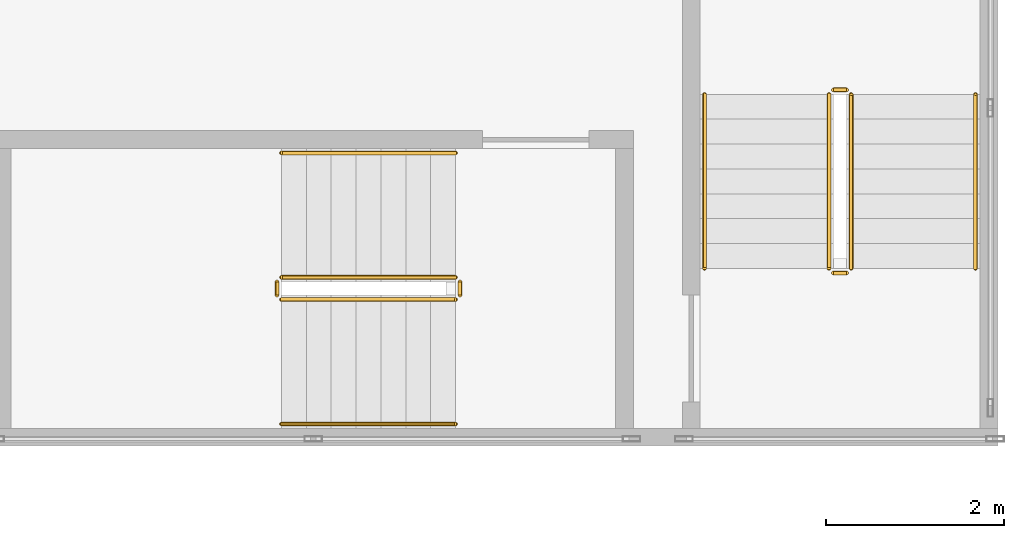
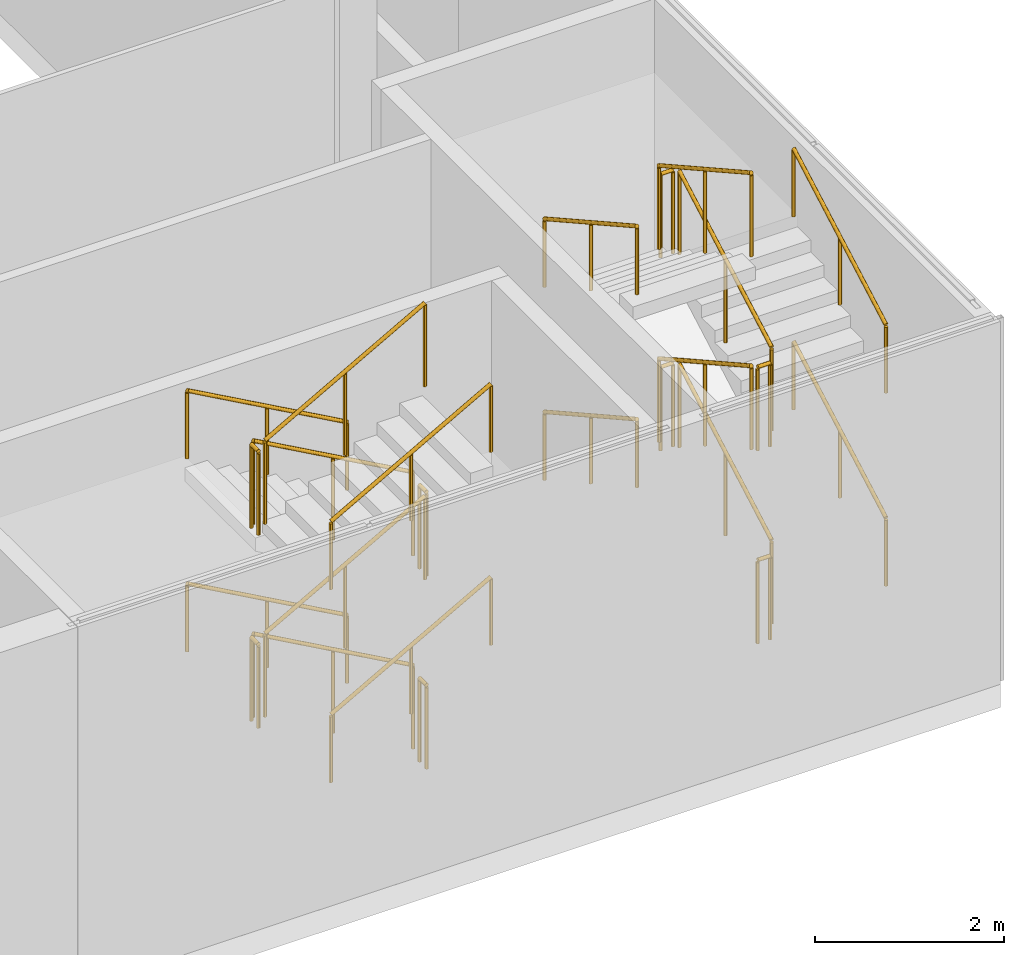
# One storey, part 21 of 22: 24 railings.
"""IFC4 building model written with IfcOpenShell, lengths in metres."""

from ifc_helpers import new_model, si_unit, direction, frame, origin, origin_2d, place, context, subcontext, project, spatial, circle, extrude, source, transform, mapped, material, type_object, element, save


model = new_model("IFC4")

# Units and contexts
model_context = context("Model", 3, precision=1e-05, world=origin(), true_north=direction((0.0, 1.0)))
body_context = subcontext(model_context, "Body", "Model", "MODEL_VIEW")
ifc_project = project(units=[si_unit("LENGTHUNIT", "METRE"), si_unit("AREAUNIT", "SQUARE_METRE"), si_unit("VOLUMEUNIT", "CUBIC_METRE"), si_unit("PLANEANGLEUNIT", "RADIAN"), si_unit("MASSUNIT", "GRAM", prefix="KILO")], contexts=[model_context])

# Site, building, storey
site_placement = place(None, origin())
site = spatial("IfcSite", under=ifc_project, at=site_placement, CompositionType="ELEMENT")
building_placement = place(site_placement, origin())
building = spatial("IfcBuilding", under=site, at=building_placement, Name="Khomas Fold Tower", CompositionType="ELEMENT")
storey_placement = place(building_placement, frame((0.0, 0.0, 23.5)))
storey = spatial("IfcBuildingStorey", under=building, at=storey_placement, Name="L04", CompositionType="ELEMENT", Elevation=23.5)

# Railings
ifc_material_1 = material(Name="Steel balustrade", Category="steel")
railing_type_1 = type_object("IfcRailingType", Name="Stair guard", PredefinedType="GUARDRAIL", material=ifc_material_1)
shared_shape_1 = source(origin(), body_context, "Body", "SweptSolid", [
    extrude(circle(Radius=0.02392578125, at=origin_2d()), frame((0.0, 0.0, 1.076171875), z_axis=(0.873232148454, 0.0, 0.487304437602), x_axis=(0.0, 1.0, 0.0)), (0.0, 0.0, 1.0), 2.244384765625),
    extrude(circle(Radius=0.02099609375, at=origin_2d()), origin(), (0.0, 0.0, 1.0), 1.052001953125),
    extrude(circle(Radius=0.02099609375, at=origin_2d()), frame((0.97998046875, 0.0, 0.546875)), (0.0, 0.0, 1.0), 1.052001953125),
    extrude(circle(Radius=0.02099609375, at=origin_2d()), frame((1.9599609375, 0.0, 1.09375)), (0.0, 0.0, 1.0), 1.052001953125),
])
for number, where, name in (
    (1, (72.93994140625, 1.64990234375, 1.40625), "L04 PS3 stair guard 3"),
    (2, (72.93994140625, 1.64990234375, 3.90625), "L04 PS3 stair guard 7"),
):
    element("IfcRailing", number, at=place(storey_placement, frame(where)), inside=storey, type_object=railing_type_1, Name=name, PredefinedType="GUARDRAIL", context=body_context, shape_type="MappedRepresentation", body=[
        mapped(shared_shape_1, transform((0.0, 0.0, 0.0))),
    ])
shared_shape_2 = source(origin(), body_context, "Body", "SweptSolid", [
    extrude(circle(Radius=0.02392578125, at=origin_2d()), frame((0.0, 0.0, 1.076171875), z_axis=(-0.873232148454, 0.0, 0.487304437602), x_axis=(0.0, -1.0, 0.0)), (0.0, 0.0, 1.0), 2.244384765625),
    extrude(circle(Radius=0.02099609375, at=origin_2d()), origin(), (0.0, 0.0, 1.0), 1.052001953125),
    extrude(circle(Radius=0.02099609375, at=origin_2d()), frame((-0.97998046875, 0.0, 0.546875)), (0.0, 0.0, 1.0), 1.052001953125),
    extrude(circle(Radius=0.02099609375, at=origin_2d()), frame((-1.9599609375, 0.0, 1.09375)), (0.0, 0.0, 1.0), 1.052001953125),
])
for number, where, name in (
    (3, (74.89990234375, 1.89990234375, 0.15625), "L04 PS3 stair guard 1"),
    (4, (74.89990234375, 1.89990234375, 2.65625), "L04 PS3 stair guard 5"),
):
    element("IfcRailing", number, at=place(storey_placement, frame(where)), inside=storey, type_object=railing_type_1, Name=name, PredefinedType="GUARDRAIL", context=body_context, shape_type="MappedRepresentation", body=[
        mapped(shared_shape_2, transform((0.0, 0.0, 0.0))),
    ])
ifc_material_2 = material(Name="Steel handrail", Category="steel")
railing_type_2 = type_object("IfcRailingType", Name="Stair handrail", PredefinedType="HANDRAIL", material=ifc_material_2)
shared_shape_3 = source(origin(), body_context, "Body", "SweptSolid", [
    extrude(circle(Radius=0.02392578125, at=origin_2d()), frame((0.0, 0.0, 0.8759765625), z_axis=(0.873232148454, 0.0, 0.487304437602), x_axis=(0.0, 1.0, 0.0)), (0.0, 0.0, 1.0), 2.244384765625),
    extrude(circle(Radius=0.02099609375, at=origin_2d()), origin(), (0.0, 0.0, 1.0), 0.851806640625),
    extrude(circle(Radius=0.02099609375, at=origin_2d()), frame((0.97998046875, 0.0, 0.546875)), (0.0, 0.0, 1.0), 0.851806640625),
    extrude(circle(Radius=0.02099609375, at=origin_2d()), frame((1.9599609375, 0.0, 1.09375)), (0.0, 0.0, 1.0), 0.851806640625),
])
for number, where, name in (
    (5, (72.93994140625, 0.25, 1.40625), "L04 PS3 stair handrail 2"),
    (6, (72.93994140625, 0.25, 3.90625), "L04 PS3 stair handrail 4"),
):
    element("IfcRailing", number, at=place(storey_placement, frame(where)), inside=storey, type_object=railing_type_2, Name=name, PredefinedType="HANDRAIL", context=body_context, shape_type="MappedRepresentation", body=[
        mapped(shared_shape_3, transform((0.0, 0.0, 0.0))),
    ])
shared_shape_4 = source(origin(), body_context, "Body", "SweptSolid", [
    extrude(circle(Radius=0.02392578125, at=origin_2d()), frame((0.0, 0.0, 0.8759765625), z_axis=(-0.873232148454, 0.0, 0.487304437602), x_axis=(0.0, -1.0, 0.0)), (0.0, 0.0, 1.0), 2.244384765625),
    extrude(circle(Radius=0.02099609375, at=origin_2d()), origin(), (0.0, 0.0, 1.0), 0.851806640625),
    extrude(circle(Radius=0.02099609375, at=origin_2d()), frame((-0.97998046875, 0.0, 0.546875)), (0.0, 0.0, 1.0), 0.851806640625),
    extrude(circle(Radius=0.02099609375, at=origin_2d()), frame((-1.9599609375, 0.0, 1.09375)), (0.0, 0.0, 1.0), 0.851806640625),
])
for number, where, name in (
    (7, (74.89990234375, 3.300048828125, 0.15625), "L04 PS3 stair handrail 1"),
    (8, (74.89990234375, 3.300048828125, 2.65625), "L04 PS3 stair handrail 3"),
):
    element("IfcRailing", number, at=place(storey_placement, frame(where)), inside=storey, type_object=railing_type_2, Name=name, PredefinedType="HANDRAIL", context=body_context, shape_type="MappedRepresentation", body=[
        mapped(shared_shape_4, transform((0.0, 0.0, 0.0))),
    ])
shared_shape_5 = source(origin(), body_context, "Body", "SweptSolid", [
    extrude(circle(Radius=0.02392578125, at=origin_2d()), frame((0.0, 0.0, 1.076171875), z_axis=(-1.0, 0.0, 0.0), x_axis=(0.0, -1.0, 0.0)), (0.0, 0.0, 1.0), 0.150146484375),
    extrude(circle(Radius=0.02099609375, at=origin_2d()), origin(), (0.0, 0.0, 1.0), 1.052001953125),
    extrude(circle(Radius=0.02099609375, at=origin_2d()), frame((-0.150146484375, 0.0, 0.0)), (0.0, 0.0, 1.0), 1.052001953125),
])
for number, where, name in (
    (9, (79.300048828125, 4.010009765625, 1.25), "L04 PS4 stair guard 2"),
    (10, (79.300048828125, 1.949951171875, 2.5), "L04 PS4 stair guard 4"),
    (11, (79.300048828125, 4.010009765625, 3.75), "L04 PS4 stair guard 6"),
    (12, (79.300048828125, 1.949951171875, 0.0), "L04 PS4 stair guard 8"),
):
    element("IfcRailing", number, at=place(storey_placement, frame(where)), inside=storey, type_object=railing_type_1, Name=name, PredefinedType="GUARDRAIL", context=body_context, shape_type="MappedRepresentation", body=[
        mapped(shared_shape_5, transform((0.0, 0.0, 0.0))),
    ])
shared_shape_6 = source(origin(), body_context, "Body", "SweptSolid", [
    extrude(circle(Radius=0.02392578125, at=origin_2d()), frame((0.0, 0.0, 1.076171875), z_axis=(0.0, 0.873232148454, 0.487304437602), x_axis=(-1.0, 0.0, 0.0)), (0.0, 0.0, 1.0), 2.244384765625),
    extrude(circle(Radius=0.02099609375, at=origin_2d()), origin(), (0.0, 0.0, 1.0), 1.052001953125),
    extrude(circle(Radius=0.02099609375, at=origin_2d()), frame((0.0, 0.97998046875, 0.546875)), (0.0, 0.0, 1.0), 1.052001953125),
    extrude(circle(Radius=0.02099609375, at=origin_2d()), frame((0.0, 1.9599609375, 1.09375)), (0.0, 0.0, 1.0), 1.052001953125),
])
for number, where, name in (
    (13, (79.35009765625, 2.0, 0.15625), "L04 PS4 stair guard 1"),
    (14, (79.35009765625, 2.0, 2.65625), "L04 PS4 stair guard 5"),
):
    element("IfcRailing", number, at=place(storey_placement, frame(where)), inside=storey, type_object=railing_type_1, Name=name, PredefinedType="GUARDRAIL", context=body_context, shape_type="MappedRepresentation", body=[
        mapped(shared_shape_6, transform((0.0, 0.0, 0.0))),
    ])
shared_shape_7 = source(origin(), body_context, "Body", "SweptSolid", [
    extrude(circle(Radius=0.02392578125, at=origin_2d()), frame((0.0, 0.0, 1.076171875), z_axis=(0.0, -0.873232148454, 0.487304437602), x_axis=(1.0, 0.0, 0.0)), (0.0, 0.0, 1.0), 2.244384765625),
    extrude(circle(Radius=0.02099609375, at=origin_2d()), origin(), (0.0, 0.0, 1.0), 1.052001953125),
    extrude(circle(Radius=0.02099609375, at=origin_2d()), frame((0.0, -0.97998046875, 0.546875)), (0.0, 0.0, 1.0), 1.052001953125),
    extrude(circle(Radius=0.02099609375, at=origin_2d()), frame((0.0, -1.9599609375, 1.09375)), (0.0, 0.0, 1.0), 1.052001953125),
])
for number, where, name in (
    (15, (79.10009765625, 3.9599609375, 1.40625), "L04 PS4 stair guard 3"),
    (16, (79.10009765625, 3.9599609375, 3.90625), "L04 PS4 stair guard 7"),
):
    element("IfcRailing", number, at=place(storey_placement, frame(where)), inside=storey, type_object=railing_type_1, Name=name, PredefinedType="GUARDRAIL", context=body_context, shape_type="MappedRepresentation", body=[
        mapped(shared_shape_7, transform((0.0, 0.0, 0.0))),
    ])
shared_shape_8 = source(origin(), body_context, "Body", "SweptSolid", [
    extrude(circle(Radius=0.02392578125, at=origin_2d()), frame((0.0, 0.0, 0.8759765625), z_axis=(0.0, 0.873232148454, 0.487304437602), x_axis=(-1.0, 0.0, 0.0)), (0.0, 0.0, 1.0), 2.244384765625),
    extrude(circle(Radius=0.02099609375, at=origin_2d()), origin(), (0.0, 0.0, 1.0), 0.851806640625),
    extrude(circle(Radius=0.02099609375, at=origin_2d()), frame((0.0, 0.97998046875, 0.546875)), (0.0, 0.0, 1.0), 0.851806640625),
    extrude(circle(Radius=0.02099609375, at=origin_2d()), frame((0.0, 1.9599609375, 1.09375)), (0.0, 0.0, 1.0), 0.851806640625),
])
for number, where, name in (
    (17, (80.75, 2.0, 0.15625), "L04 PS4 stair handrail 1"),
    (18, (80.75, 2.0, 2.65625), "L04 PS4 stair handrail 3"),
):
    element("IfcRailing", number, at=place(storey_placement, frame(where)), inside=storey, type_object=railing_type_2, Name=name, PredefinedType="HANDRAIL", context=body_context, shape_type="MappedRepresentation", body=[
        mapped(shared_shape_8, transform((0.0, 0.0, 0.0))),
    ])
shared_shape_9 = source(origin(), body_context, "Body", "SweptSolid", [
    extrude(circle(Radius=0.02392578125, at=origin_2d()), frame((0.0, 0.0, 0.8759765625), z_axis=(0.0, -0.873232148454, 0.487304437602), x_axis=(1.0, 0.0, 0.0)), (0.0, 0.0, 1.0), 2.244384765625),
    extrude(circle(Radius=0.02099609375, at=origin_2d()), origin(), (0.0, 0.0, 1.0), 0.851806640625),
    extrude(circle(Radius=0.02099609375, at=origin_2d()), frame((0.0, -0.97998046875, 0.546875)), (0.0, 0.0, 1.0), 0.851806640625),
    extrude(circle(Radius=0.02099609375, at=origin_2d()), frame((0.0, -1.9599609375, 1.09375)), (0.0, 0.0, 1.0), 0.851806640625),
])
for number, where, name in (
    (19, (77.699951171875, 3.9599609375, 1.40625), "L04 PS4 stair handrail 2"),
    (20, (77.699951171875, 3.9599609375, 3.90625), "L04 PS4 stair handrail 4"),
):
    element("IfcRailing", number, at=place(storey_placement, frame(where)), inside=storey, type_object=railing_type_2, Name=name, PredefinedType="HANDRAIL", context=body_context, shape_type="MappedRepresentation", body=[
        mapped(shared_shape_9, transform((0.0, 0.0, 0.0))),
    ])
shared_shape_10 = source(origin(), body_context, "Body", "SweptSolid", [
    extrude(circle(Radius=0.02392578125, at=origin_2d()), frame((0.0, 0.0, 1.076171875), z_axis=(0.0, -1.0, 0.0), x_axis=(1.0, 0.0, 0.0)), (0.0, 0.0, 1.0), 0.150146484375),
    extrude(circle(Radius=0.02099609375, at=origin_2d()), origin(), (0.0, 0.0, 1.0), 1.052001953125),
    extrude(circle(Radius=0.02099609375, at=origin_2d()), frame((0.0, -0.150146484375, 0.0)), (0.0, 0.0, 1.0), 1.052001953125),
])
for number, where, name in (
    (21, (72.889892578125, 1.85009765625, 1.25), "L04 PS3 stair guard 2"),
    (22, (74.949951171875, 1.85009765625, 2.5), "L04 PS3 stair guard 4"),
    (23, (72.889892578125, 1.85009765625, 3.75), "L04 PS3 stair guard 6"),
    (24, (74.949951171875, 1.85009765625, 0.0), "L04 PS3 stair guard 8"),
):
    element("IfcRailing", number, at=place(storey_placement, frame(where)), inside=storey, type_object=railing_type_1, Name=name, PredefinedType="GUARDRAIL", context=body_context, shape_type="MappedRepresentation", body=[
        mapped(shared_shape_10, transform((0.0, 0.0, 0.0))),
    ])

save(model, "model.ifc")
